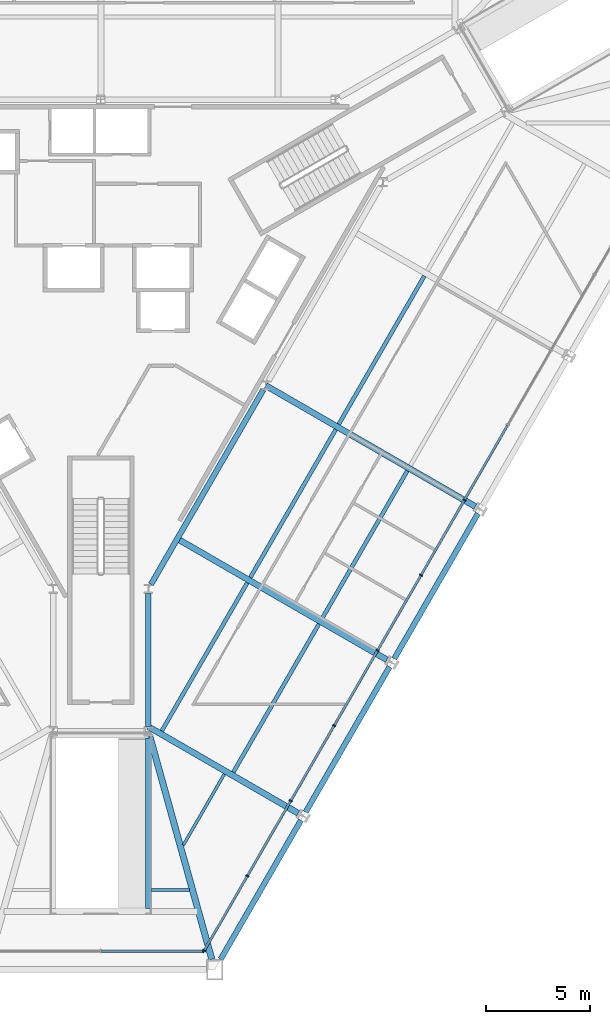
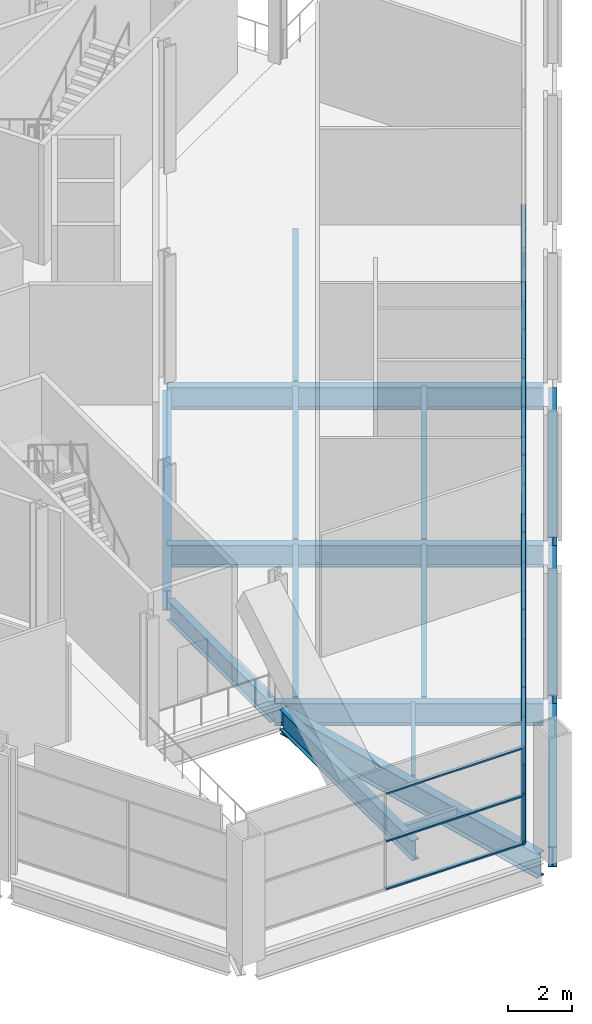
# One storey, part 4 of 18: 32 members, 17 beams, 2 elements without a shape of their own.
"""IFC4 building model written with IfcOpenShell, lengths in metres."""

from ifc_helpers import new_model, si_unit, direction, frame, origin, origin_2d, place, context, subcontext, project, spatial, rectangle, i_section, extrude, material, layer, layer_set, material_profile, profile_set, type_object, element, aggregate, save


model = new_model("IFC4")

# Units and contexts
model_context = context("Model", 3, precision=1e-05, world=origin(), true_north=direction((0.0, 1.0)))
body_context = subcontext(model_context, "Body", "Model", "MODEL_VIEW")
ifc_project = project(units=[si_unit("LENGTHUNIT", "METRE"), si_unit("AREAUNIT", "SQUARE_METRE"), si_unit("VOLUMEUNIT", "CUBIC_METRE"), si_unit("PLANEANGLEUNIT", "RADIAN"), si_unit("MASSUNIT", "GRAM", prefix="KILO")], contexts=[model_context])

# Site, building, storey
site_placement = place(None, origin())
site = spatial("IfcSite", under=ifc_project, at=site_placement, CompositionType="ELEMENT")
building_placement = place(site_placement, origin())
building = spatial("IfcBuilding", under=site, at=building_placement, Name="Verrane Prism Tower", CompositionType="ELEMENT")
storey_placement = place(building_placement, frame((0.0, 0.0, 27.199951171875)))
storey = spatial("IfcBuildingStorey", under=building, at=storey_placement, Name="L04", CompositionType="ELEMENT", Elevation=27.199951171875)

# Curtain wall, member
ifc_material_1 = material(Name="Aluminium and glass curtain wall", Category="aluminium")
ifc_layer = layer(ifc_material_1, 0.199951171875)
ifc_layer_set = layer_set([ifc_layer], Name="CWB-1 retail curtain wall")
curtain_wall_type = type_object("IfcCurtainWallType", Name="CWB-1 retail curtain wall", PredefinedType="NOTDEFINED", material=ifc_layer_set)
curtain_wall_1_placement = place(storey_placement, origin())
curtain_wall_1 = element("IfcCurtainWall", 1, at=curtain_wall_1_placement, inside=storey, type_object=curtain_wall_type, Name="Retail curtain wall L04 5", PredefinedType="NOTDEFINED")
ifc_material_2 = material(Name="Aluminium", Category="aluminium")
ifc_material_profile_1 = material_profile(ifc_material_2, rectangle(XDim=0.159912109375, YDim=0.06005859375, at=origin_2d()), Name="CWB-M 60x160 mullion")
ifc_profile_set_1 = profile_set([ifc_material_profile_1], Name="Aluminium")
member_type_1 = type_object("IfcMemberType", Name="CWB-M 60x160 mullion", PredefinedType="MULLION", material=ifc_profile_set_1)
member_1_placement = place(storey_placement, frame((4.950439453125, -31.913818359375, 0.0), z_axis=(0.0, 0.0, 1.0), x_axis=(0.0, 1.0, 0.0)))
member_1 = element("IfcMember", 2, at=member_1_placement, type_object=member_type_1, Name="CWB45 mullion 3", PredefinedType="MULLION", context=body_context, shape_type="SweptSolid", body=[
    extrude(rectangle(XDim=0.159912109375, YDim=0.06005859375, at=origin_2d()), origin(), (0.0, 0.0, 1.0), 3.68994140625),
])

# Curtain wall, members
curtain_wall_2_placement = place(storey_placement, origin())
curtain_wall_2 = element("IfcCurtainWall", 3, at=curtain_wall_2_placement, inside=storey, type_object=curtain_wall_type, Name="Retail curtain wall L04 6", PredefinedType="NOTDEFINED")
member_2_placement = place(storey_placement, frame((4.995361328125, -31.8876953125, 0.0), z_axis=(0.0, 0.0, 1.0), x_axis=(-0.866025335097, 0.50000011897, 0.0)))
member_2 = element("IfcMember", 4, at=member_2_placement, type_object=member_type_1, Name="CWB46 mullion 1", PredefinedType="MULLION", context=body_context, shape_type="SweptSolid", body=[
    extrude(rectangle(XDim=0.159912109375, YDim=0.06005859375, at=origin_2d()), origin(), (0.0, 0.0, 1.0), 3.68994140625),
])
member_3_placement = place(storey_placement, frame((7.075927734375, -28.283935546875, 0.0), z_axis=(0.0, 0.0, 1.0), x_axis=(-0.866025335097, 0.50000011897, 0.0)))
member_3 = element("IfcMember", 5, at=member_3_placement, type_object=member_type_1, Name="CWB46 mullion 2", PredefinedType="MULLION", context=body_context, shape_type="SweptSolid", body=[
    extrude(rectangle(XDim=0.159912109375, YDim=0.06005859375, at=origin_2d()), origin(), (0.0, 0.0, 1.0), 3.68994140625),
])
member_4_placement = place(storey_placement, frame((9.171630859375, -24.654052734375, 0.0), z_axis=(0.0, 0.0, 1.0), x_axis=(-0.866025335097, 0.50000011897, 0.0)))
member_4 = element("IfcMember", 6, at=member_4_placement, type_object=member_type_1, Name="CWB46 mullion 3", PredefinedType="MULLION", context=body_context, shape_type="SweptSolid", body=[
    extrude(rectangle(XDim=0.159912109375, YDim=0.06005859375, at=origin_2d()), origin(), (0.0, 0.0, 1.0), 3.68994140625),
])
member_5_placement = place(storey_placement, frame((11.267333984375, -21.0244140625, 0.0), z_axis=(0.0, 0.0, 1.0), x_axis=(-0.866025335097, 0.50000011897, 0.0)))
member_5 = element("IfcMember", 7, at=member_5_placement, type_object=member_type_1, Name="CWB46 mullion 4", PredefinedType="MULLION", context=body_context, shape_type="SweptSolid", body=[
    extrude(rectangle(XDim=0.159912109375, YDim=0.06005859375, at=origin_2d()), origin(), (0.0, 0.0, 1.0), 3.68994140625),
])
member_6_placement = place(storey_placement, frame((13.363037109375, -17.39453125, 0.0), z_axis=(0.0, 0.0, 1.0), x_axis=(-0.866025335097, 0.50000011897, 0.0)))
member_6 = element("IfcMember", 8, at=member_6_placement, type_object=member_type_1, Name="CWB46 mullion 5", PredefinedType="MULLION", context=body_context, shape_type="SweptSolid", body=[
    extrude(rectangle(XDim=0.159912109375, YDim=0.06005859375, at=origin_2d()), origin(), (0.0, 0.0, 1.0), 3.68994140625),
])
member_7_placement = place(storey_placement, frame((15.458740234375, -13.764892578125, 0.0), z_axis=(0.0, 0.0, 1.0), x_axis=(-0.866025335097, 0.50000011897, 0.0)))
member_7 = element("IfcMember", 9, at=member_7_placement, type_object=member_type_1, Name="CWB46 mullion 6", PredefinedType="MULLION", context=body_context, shape_type="SweptSolid", body=[
    extrude(rectangle(XDim=0.159912109375, YDim=0.06005859375, at=origin_2d()), origin(), (0.0, 0.0, 1.0), 3.68994140625),
])
member_8_placement = place(storey_placement, frame((17.554443359375, -10.135009765625, 0.0), z_axis=(0.0, 0.0, 1.0), x_axis=(-0.866025335097, 0.50000011897, 0.0)))
member_8 = element("IfcMember", 10, at=member_8_placement, type_object=member_type_1, Name="CWB46 mullion 7", PredefinedType="MULLION", context=body_context, shape_type="SweptSolid", body=[
    extrude(rectangle(XDim=0.159912109375, YDim=0.06005859375, at=origin_2d()), origin(), (0.0, 0.0, 1.0), 3.68994140625),
])

# Member
ifc_material_3 = material(Name="Aluminium", Category="aluminium")
ifc_material_profile_2 = material_profile(ifc_material_3, rectangle(XDim=0.1201171875, YDim=0.06005859375, at=origin_2d()), Name="CWB-T 60x120 transom")
ifc_profile_set_2 = profile_set([ifc_material_profile_2], Name="Aluminium")
member_type_2 = type_object("IfcMemberType", Name="CWB-T 60x120 transom", PredefinedType="USERDEFINED", material=ifc_profile_set_2)
member_9_placement = place(storey_placement, frame((0.030029296875, -31.913818359375, 0.030029296875), z_axis=(1.0, 0.0, 0.0), x_axis=(0.0, 1.0, 0.0)))
member_9 = element("IfcMember", 11, at=member_9_placement, type_object=member_type_2, Name="CWB45 transom 2.1", ObjectType="TRANSOM", PredefinedType="USERDEFINED", context=body_context, shape_type="SweptSolid", body=[
    extrude(rectangle(XDim=0.1201171875, YDim=0.06005859375, at=origin_2d()), origin(), (0.0, 0.0, 1.0), 4.890380859375),
])

member_10_placement = place(storey_placement, frame((0.030029296875, -31.913818359375, 1.844970703125), z_axis=(1.0, 0.0, 0.0), x_axis=(0.0, 1.0, 0.0)))
member_10 = element("IfcMember", 12, at=member_10_placement, type_object=member_type_2, Name="CWB45 transom 2.2", ObjectType="TRANSOM", PredefinedType="USERDEFINED", context=body_context, shape_type="SweptSolid", body=[
    extrude(rectangle(XDim=0.1201171875, YDim=0.06005859375, at=origin_2d()), origin(), (0.0, 0.0, 1.0), 4.890380859375),
])

member_11_placement = place(storey_placement, frame((0.030029296875, -31.913818359375, 3.66015625), z_axis=(1.0, 0.0, 0.0), x_axis=(0.0, 1.0, 0.0)))
member_11 = element("IfcMember", 13, at=member_11_placement, type_object=member_type_2, Name="CWB45 transom 2.3", ObjectType="TRANSOM", PredefinedType="USERDEFINED", context=body_context, shape_type="SweptSolid", body=[
    extrude(rectangle(XDim=0.1201171875, YDim=0.06005859375, at=origin_2d()), origin(), (0.0, 0.0, 1.0), 4.890380859375),
])

aggregate(curtain_wall_1, [member_1, member_9, member_10, member_11])

member_12_placement = place(storey_placement, frame((5.010498046875, -31.86181640625, 0.030029296875), z_axis=(0.499961200281, 0.866047803654, 0.0), x_axis=(-0.866047803654, 0.499961200281, 0.0)))
member_12 = element("IfcMember", 14, at=member_12_placement, type_object=member_type_2, Name="CWB46 transom 1.1", ObjectType="TRANSOM", PredefinedType="USERDEFINED", context=body_context, shape_type="SweptSolid", body=[
    extrude(rectangle(XDim=0.1201171875, YDim=0.06005859375, at=origin_2d()), origin(), (0.0, 0.0, 1.0), 4.101318359375),
])

member_13_placement = place(storey_placement, frame((5.010498046875, -31.86181640625, 1.844970703125), z_axis=(0.499961200281, 0.866047803654, 0.0), x_axis=(-0.866047803654, 0.499961200281, 0.0)))
member_13 = element("IfcMember", 15, at=member_13_placement, type_object=member_type_2, Name="CWB46 transom 1.2", ObjectType="TRANSOM", PredefinedType="USERDEFINED", context=body_context, shape_type="SweptSolid", body=[
    extrude(rectangle(XDim=0.1201171875, YDim=0.06005859375, at=origin_2d()), origin(), (0.0, 0.0, 1.0), 4.101318359375),
])

member_14_placement = place(storey_placement, frame((5.010498046875, -31.86181640625, 3.66015625), z_axis=(0.499961200281, 0.866047803654, 0.0), x_axis=(-0.866047803654, 0.499961200281, 0.0)))
member_14 = element("IfcMember", 16, at=member_14_placement, type_object=member_type_2, Name="CWB46 transom 1.3", ObjectType="TRANSOM", PredefinedType="USERDEFINED", context=body_context, shape_type="SweptSolid", body=[
    extrude(rectangle(XDim=0.1201171875, YDim=0.06005859375, at=origin_2d()), origin(), (0.0, 0.0, 1.0), 4.101318359375),
])

member_15_placement = place(storey_placement, frame((7.091064453125, -28.258056640625, 0.030029296875), z_axis=(0.499996977546, 0.866027148792, 0.0), x_axis=(-0.866027148792, 0.499996977546, 0.0)))
member_15 = element("IfcMember", 17, at=member_15_placement, type_object=member_type_2, Name="CWB46 transom 2.1", ObjectType="TRANSOM", PredefinedType="USERDEFINED", context=body_context, shape_type="SweptSolid", body=[
    extrude(rectangle(XDim=0.1201171875, YDim=0.06005859375, at=origin_2d()), origin(), (0.0, 0.0, 1.0), 4.13134765625),
])

member_16_placement = place(storey_placement, frame((7.091064453125, -28.258056640625, 1.844970703125), z_axis=(0.499996977546, 0.866027148792, 0.0), x_axis=(-0.866027148792, 0.499996977546, 0.0)))
member_16 = element("IfcMember", 18, at=member_16_placement, type_object=member_type_2, Name="CWB46 transom 2.2", ObjectType="TRANSOM", PredefinedType="USERDEFINED", context=body_context, shape_type="SweptSolid", body=[
    extrude(rectangle(XDim=0.1201171875, YDim=0.06005859375, at=origin_2d()), origin(), (0.0, 0.0, 1.0), 4.13134765625),
])

member_17_placement = place(storey_placement, frame((7.091064453125, -28.258056640625, 3.66015625), z_axis=(0.499996977546, 0.866027148792, 0.0), x_axis=(-0.866027148792, 0.499996977546, 0.0)))
member_17 = element("IfcMember", 19, at=member_17_placement, type_object=member_type_2, Name="CWB46 transom 2.3", ObjectType="TRANSOM", PredefinedType="USERDEFINED", context=body_context, shape_type="SweptSolid", body=[
    extrude(rectangle(XDim=0.1201171875, YDim=0.06005859375, at=origin_2d()), origin(), (0.0, 0.0, 1.0), 4.13134765625),
])

member_18_placement = place(storey_placement, frame((9.186767578125, -24.628173828125, 0.030029296875), z_axis=(0.499996977546, 0.866027148792, 0.0), x_axis=(-0.866027148792, 0.499996977546, 0.0)))
member_18 = element("IfcMember", 20, at=member_18_placement, type_object=member_type_2, Name="CWB46 transom 3.1", ObjectType="TRANSOM", PredefinedType="USERDEFINED", context=body_context, shape_type="SweptSolid", body=[
    extrude(rectangle(XDim=0.1201171875, YDim=0.06005859375, at=origin_2d()), origin(), (0.0, 0.0, 1.0), 4.13134765625),
])

member_19_placement = place(storey_placement, frame((9.186767578125, -24.628173828125, 1.844970703125), z_axis=(0.499996977546, 0.866027148792, 0.0), x_axis=(-0.866027148792, 0.499996977546, 0.0)))
member_19 = element("IfcMember", 21, at=member_19_placement, type_object=member_type_2, Name="CWB46 transom 3.2", ObjectType="TRANSOM", PredefinedType="USERDEFINED", context=body_context, shape_type="SweptSolid", body=[
    extrude(rectangle(XDim=0.1201171875, YDim=0.06005859375, at=origin_2d()), origin(), (0.0, 0.0, 1.0), 4.13134765625),
])

member_20_placement = place(storey_placement, frame((9.186767578125, -24.628173828125, 3.66015625), z_axis=(0.499996977546, 0.866027148792, 0.0), x_axis=(-0.866027148792, 0.499996977546, 0.0)))
member_20 = element("IfcMember", 22, at=member_20_placement, type_object=member_type_2, Name="CWB46 transom 3.3", ObjectType="TRANSOM", PredefinedType="USERDEFINED", context=body_context, shape_type="SweptSolid", body=[
    extrude(rectangle(XDim=0.1201171875, YDim=0.06005859375, at=origin_2d()), origin(), (0.0, 0.0, 1.0), 4.13134765625),
])

member_21_placement = place(storey_placement, frame((11.282470703125, -20.998291015625, 0.030029296875), z_axis=(0.499978243488, 0.866037964548, 0.0), x_axis=(-0.866037964548, 0.499978243488, 0.0)))
member_21 = element("IfcMember", 23, at=member_21_placement, type_object=member_type_2, Name="CWB46 transom 4.1", ObjectType="TRANSOM", PredefinedType="USERDEFINED", context=body_context, shape_type="SweptSolid", body=[
    extrude(rectangle(XDim=0.1201171875, YDim=0.06005859375, at=origin_2d()), origin(), (0.0, 0.0, 1.0), 4.131103515625),
])

member_22_placement = place(storey_placement, frame((11.282470703125, -20.998291015625, 1.844970703125), z_axis=(0.499978243488, 0.866037964548, 0.0), x_axis=(-0.866037964548, 0.499978243488, 0.0)))
member_22 = element("IfcMember", 24, at=member_22_placement, type_object=member_type_2, Name="CWB46 transom 4.2", ObjectType="TRANSOM", PredefinedType="USERDEFINED", context=body_context, shape_type="SweptSolid", body=[
    extrude(rectangle(XDim=0.1201171875, YDim=0.06005859375, at=origin_2d()), origin(), (0.0, 0.0, 1.0), 4.131103515625),
])

member_23_placement = place(storey_placement, frame((11.282470703125, -20.998291015625, 3.66015625), z_axis=(0.499978243488, 0.866037964548, 0.0), x_axis=(-0.866037964548, 0.499978243488, 0.0)))
member_23 = element("IfcMember", 25, at=member_23_placement, type_object=member_type_2, Name="CWB46 transom 4.3", ObjectType="TRANSOM", PredefinedType="USERDEFINED", context=body_context, shape_type="SweptSolid", body=[
    extrude(rectangle(XDim=0.1201171875, YDim=0.06005859375, at=origin_2d()), origin(), (0.0, 0.0, 1.0), 4.131103515625),
])

member_24_placement = place(storey_placement, frame((13.3779296875, -17.36865234375, 0.030029296875), z_axis=(0.499996977546, 0.866027148792, 0.0), x_axis=(-0.866027148792, 0.499996977546, 0.0)))
member_24 = element("IfcMember", 26, at=member_24_placement, type_object=member_type_2, Name="CWB46 transom 5.1", ObjectType="TRANSOM", PredefinedType="USERDEFINED", context=body_context, shape_type="SweptSolid", body=[
    extrude(rectangle(XDim=0.1201171875, YDim=0.06005859375, at=origin_2d()), origin(), (0.0, 0.0, 1.0), 4.13134765625),
])

member_25_placement = place(storey_placement, frame((13.3779296875, -17.36865234375, 1.844970703125), z_axis=(0.499996977546, 0.866027148792, 0.0), x_axis=(-0.866027148792, 0.499996977546, 0.0)))
member_25 = element("IfcMember", 27, at=member_25_placement, type_object=member_type_2, Name="CWB46 transom 5.2", ObjectType="TRANSOM", PredefinedType="USERDEFINED", context=body_context, shape_type="SweptSolid", body=[
    extrude(rectangle(XDim=0.1201171875, YDim=0.06005859375, at=origin_2d()), origin(), (0.0, 0.0, 1.0), 4.13134765625),
])

member_26_placement = place(storey_placement, frame((13.3779296875, -17.36865234375, 3.66015625), z_axis=(0.499996977546, 0.866027148792, 0.0), x_axis=(-0.866027148792, 0.499996977546, 0.0)))
member_26 = element("IfcMember", 28, at=member_26_placement, type_object=member_type_2, Name="CWB46 transom 5.3", ObjectType="TRANSOM", PredefinedType="USERDEFINED", context=body_context, shape_type="SweptSolid", body=[
    extrude(rectangle(XDim=0.1201171875, YDim=0.06005859375, at=origin_2d()), origin(), (0.0, 0.0, 1.0), 4.13134765625),
])

member_27_placement = place(storey_placement, frame((15.4736328125, -13.73876953125, 0.030029296875), z_axis=(0.499996977546, 0.866027148792, 0.0), x_axis=(-0.866027148792, 0.499996977546, 0.0)))
member_27 = element("IfcMember", 29, at=member_27_placement, type_object=member_type_2, Name="CWB46 transom 6.1", ObjectType="TRANSOM", PredefinedType="USERDEFINED", context=body_context, shape_type="SweptSolid", body=[
    extrude(rectangle(XDim=0.1201171875, YDim=0.06005859375, at=origin_2d()), origin(), (0.0, 0.0, 1.0), 4.13134765625),
])

member_28_placement = place(storey_placement, frame((15.4736328125, -13.73876953125, 1.844970703125), z_axis=(0.499996977546, 0.866027148792, 0.0), x_axis=(-0.866027148792, 0.499996977546, 0.0)))
member_28 = element("IfcMember", 30, at=member_28_placement, type_object=member_type_2, Name="CWB46 transom 6.2", ObjectType="TRANSOM", PredefinedType="USERDEFINED", context=body_context, shape_type="SweptSolid", body=[
    extrude(rectangle(XDim=0.1201171875, YDim=0.06005859375, at=origin_2d()), origin(), (0.0, 0.0, 1.0), 4.13134765625),
])

member_29_placement = place(storey_placement, frame((15.4736328125, -13.73876953125, 3.66015625), z_axis=(0.499996977546, 0.866027148792, 0.0), x_axis=(-0.866027148792, 0.499996977546, 0.0)))
member_29 = element("IfcMember", 31, at=member_29_placement, type_object=member_type_2, Name="CWB46 transom 6.3", ObjectType="TRANSOM", PredefinedType="USERDEFINED", context=body_context, shape_type="SweptSolid", body=[
    extrude(rectangle(XDim=0.1201171875, YDim=0.06005859375, at=origin_2d()), origin(), (0.0, 0.0, 1.0), 4.13134765625),
])

member_30_placement = place(storey_placement, frame((17.5693359375, -10.109130859375, 0.030029296875), z_axis=(0.499996977546, 0.866027148792, 0.0), x_axis=(-0.866027148792, 0.499996977546, 0.0)))
member_30 = element("IfcMember", 32, at=member_30_placement, type_object=member_type_2, Name="CWB46 transom 7.1", ObjectType="TRANSOM", PredefinedType="USERDEFINED", context=body_context, shape_type="SweptSolid", body=[
    extrude(rectangle(XDim=0.1201171875, YDim=0.06005859375, at=origin_2d()), origin(), (0.0, 0.0, 1.0), 4.13134765625),
])

member_31_placement = place(storey_placement, frame((17.5693359375, -10.109130859375, 1.844970703125), z_axis=(0.499996977546, 0.866027148792, 0.0), x_axis=(-0.866027148792, 0.499996977546, 0.0)))
member_31 = element("IfcMember", 33, at=member_31_placement, type_object=member_type_2, Name="CWB46 transom 7.2", ObjectType="TRANSOM", PredefinedType="USERDEFINED", context=body_context, shape_type="SweptSolid", body=[
    extrude(rectangle(XDim=0.1201171875, YDim=0.06005859375, at=origin_2d()), origin(), (0.0, 0.0, 1.0), 4.13134765625),
])

member_32_placement = place(storey_placement, frame((17.5693359375, -10.109130859375, 3.66015625), z_axis=(0.499996977546, 0.866027148792, 0.0), x_axis=(-0.866027148792, 0.499996977546, 0.0)))
member_32 = element("IfcMember", 34, at=member_32_placement, type_object=member_type_2, Name="CWB46 transom 7.3", ObjectType="TRANSOM", PredefinedType="USERDEFINED", context=body_context, shape_type="SweptSolid", body=[
    extrude(rectangle(XDim=0.1201171875, YDim=0.06005859375, at=origin_2d()), origin(), (0.0, 0.0, 1.0), 4.13134765625),
])

aggregate(curtain_wall_2, [member_2, member_3, member_4, member_5, member_6, member_7, member_8, member_12, member_13, member_14, member_15, member_16, member_17, member_18, member_19, member_20, member_21, member_22, member_23, member_24, member_25, member_26, member_27, member_28, member_29, member_30, member_31, member_32])

# Beams
ifc_material_4 = material(Name="Steel A992", Category="steel")
ifc_material_profile_3 = material_profile(ifc_material_4, i_section(OverallWidth=0.2666015625, OverallDepth=0.76708984375, WebThickness=0.014892578125, FlangeThickness=0.023681640625, FilletRadius=0.0166015625, at=origin_2d()), Name="W30x124")
ifc_profile_set_3 = profile_set([ifc_material_profile_3], Name="Steel A992")
beam_type_1 = type_object("IfcBeamType", Name="Core ring girder W30x124", PredefinedType="BEAM", material=ifc_profile_set_3)
beam_1_placement = place(storey_placement, frame((2.300048828125, -21.0625, -0.633544921875), z_axis=(0.0, 1.0, 0.0), x_axis=(-1.0, 0.0, 0.0)))
element("IfcBeam", 35, at=beam_1_placement, inside=storey, type_object=beam_type_1, Name="Core ring girder L04", PredefinedType="BEAM", context=body_context, shape_type="SweptSolid", body=[
    extrude(i_section(OverallWidth=0.2666015625, OverallDepth=0.76708984375, WebThickness=0.014892578125, FlangeThickness=0.023681640625, FilletRadius=0.0166015625, at=origin_2d()), origin(), (0.0, 0.0, 1.0), 6.42529296875),
])
beam_2_placement = place(storey_placement, frame((2.42529296875, -14.202880859375, -0.633544921875), z_axis=(0.500022744667, 0.866012271747, 0.0), x_axis=(-0.866012271747, 0.500022744667, 0.0)))
element("IfcBeam", 36, at=beam_2_placement, inside=storey, type_object=beam_type_1, Name="Core ring girder L04", PredefinedType="BEAM", context=body_context, shape_type="SweptSolid", body=[
    extrude(i_section(OverallWidth=0.2666015625, OverallDepth=0.76708984375, WebThickness=0.014892578125, FlangeThickness=0.023681640625, FilletRadius=0.0166015625, at=origin_2d()), origin(), (0.0, 0.0, 1.0), 10.837890625),
])
ifc_material_5 = material(Name="Steel A992", Category="steel")
ifc_material_profile_4 = material_profile(ifc_material_5, i_section(OverallWidth=0.307373046875, OverallDepth=0.927001953125, WebThickness=0.01953125, FlangeThickness=0.031982421875, FilletRadius=0.01904296875, at=origin_2d()), Name="W36x194")
ifc_profile_set_4 = profile_set([ifc_material_profile_4], Name="Steel A992")
beam_type_2 = type_object("IfcBeamType", Name="Corner girder W36x194", PredefinedType="BEAM", material=ifc_profile_set_4)
beam_3_placement = place(storey_placement, frame((5.361083984375, -32.31005859375, -0.68359375), z_axis=(-0.267873594468, 0.963454066049, 0.0), x_axis=(-0.963454066049, -0.267873594468, 0.0)))
element("IfcBeam", 37, at=beam_3_placement, inside=storey, type_object=beam_type_2, Name="Corner girder L04", PredefinedType="BEAM", context=body_context, shape_type="SweptSolid", body=[
    extrude(i_section(OverallWidth=0.307373046875, OverallDepth=0.927001953125, WebThickness=0.01953125, FlangeThickness=0.031982421875, FilletRadius=0.01904296875, at=origin_2d()), origin(), (0.0, 0.0, 1.0), 11.18115234375),
])
ifc_material_6 = material(Name="Steel A992", Category="steel")
ifc_material_profile_5 = material_profile(ifc_material_6, i_section(OverallWidth=0.140380859375, OverallDepth=0.40380859375, WebThickness=0.007080078125, FlangeThickness=0.01123046875, FilletRadius=0.01025390625, at=origin_2d()), Name="W16x31")
ifc_profile_set_5 = profile_set([ifc_material_profile_5], Name="Steel A992")
beam_type_3 = type_object("IfcBeamType", Name="Floor beam W16x31", PredefinedType="BEAM", material=ifc_profile_set_5)
beam_4_placement = place(storey_placement, frame((3.9873046875, -26.795654296875, -0.36181640625), z_axis=(0.499978641112, 0.866037734993, 0.0), x_axis=(-0.866037734993, 0.499978641112, 0.0)))
element("IfcBeam", 38, at=beam_4_placement, inside=storey, type_object=beam_type_3, Name="Floor beam L04", PredefinedType="BEAM", context=body_context, shape_type="SweptSolid", body=[
    extrude(i_section(OverallWidth=0.140380859375, OverallDepth=0.40380859375, WebThickness=0.007080078125, FlangeThickness=0.01123046875, FilletRadius=0.01025390625, at=origin_2d()), origin(), (0.0, 0.0, 1.0), 3.959716796875),
])
beam_5_placement = place(storey_placement, frame((2.43359375, -28.973388671875, -0.36181640625), z_axis=(1.0, 0.0, 0.0), x_axis=(0.0, 1.0, 0.0)))
element("IfcBeam", 39, at=beam_5_placement, inside=storey, type_object=beam_type_3, Name="Floor beam L04", PredefinedType="BEAM", context=body_context, shape_type="SweptSolid", body=[
    extrude(i_section(OverallWidth=0.140380859375, OverallDepth=0.40380859375, WebThickness=0.007080078125, FlangeThickness=0.01123046875, FilletRadius=0.01025390625, at=origin_2d()), origin(), (0.0, 0.0, 1.0), 1.84033203125),
])
ifc_material_7 = material(Name="Steel A992", Category="steel")
ifc_material_profile_6 = material_profile(ifc_material_7, i_section(OverallWidth=0.1904296875, OverallDepth=0.457275390625, WebThickness=0.009033203125, FlangeThickness=0.014404296875, FilletRadius=0.01025390625, at=origin_2d()), Name="W18x50")
ifc_profile_set_6 = profile_set([ifc_material_profile_6], Name="Steel A992")
beam_type_4 = type_object("IfcBeamType", Name="Floor beam W18x50", PredefinedType="BEAM", material=ifc_profile_set_6)
beam_6_placement = place(storey_placement, frame((6.39892578125, -23.27880859375, -0.388671875), z_axis=(0.499996977546, 0.866027148792, 0.0), x_axis=(-0.866027148792, 0.499996977546, 0.0)))
element("IfcBeam", 40, at=beam_6_placement, inside=storey, type_object=beam_type_4, Name="Floor beam L04", PredefinedType="BEAM", context=body_context, shape_type="SweptSolid", body=[
    extrude(i_section(OverallWidth=0.1904296875, OverallDepth=0.457275390625, WebThickness=0.009033203125, FlangeThickness=0.014404296875, FilletRadius=0.01025390625, at=origin_2d()), origin(), (0.0, 0.0, 1.0), 8.2626953125),
])
beam_7_placement = place(storey_placement, frame((2.943603515625, -21.283203125, -0.388671875), z_axis=(0.500014123243, 0.866017249573, 0.0), x_axis=(-0.866017249573, 0.500014123243, 0.0)))
element("IfcBeam", 41, at=beam_7_placement, inside=storey, type_object=beam_type_4, Name="Floor beam L04", PredefinedType="BEAM", context=body_context, shape_type="SweptSolid", body=[
    extrude(i_section(OverallWidth=0.1904296875, OverallDepth=0.457275390625, WebThickness=0.009033203125, FlangeThickness=0.014404296875, FilletRadius=0.01025390625, at=origin_2d()), origin(), (0.0, 0.0, 1.0), 8.260009765625),
])
beam_8_placement = place(storey_placement, frame((10.67626953125, -15.8701171875, -0.388671875), z_axis=(0.500010949126, 0.866019082211, 0.0), x_axis=(-0.866019082211, 0.500010949126, 0.0)))
element("IfcBeam", 42, at=beam_8_placement, inside=storey, type_object=beam_type_4, Name="Floor beam L04", PredefinedType="BEAM", context=body_context, shape_type="SweptSolid", body=[
    extrude(i_section(OverallWidth=0.1904296875, OverallDepth=0.457275390625, WebThickness=0.009033203125, FlangeThickness=0.014404296875, FilletRadius=0.01025390625, at=origin_2d()), origin(), (0.0, 0.0, 1.0), 8.253173828125),
])
beam_9_placement = place(storey_placement, frame((7.2197265625, -13.876953125, -0.388671875), z_axis=(0.499987846292, 0.866032420617, 0.0), x_axis=(-0.866032420617, 0.499987846292, 0.0)))
element("IfcBeam", 43, at=beam_9_placement, inside=storey, type_object=beam_type_4, Name="Floor beam L04", PredefinedType="BEAM", context=body_context, shape_type="SweptSolid", body=[
    extrude(i_section(OverallWidth=0.1904296875, OverallDepth=0.457275390625, WebThickness=0.009033203125, FlangeThickness=0.014404296875, FilletRadius=0.01025390625, at=origin_2d()), origin(), (0.0, 0.0, 1.0), 8.255126953125),
])
beam_10_placement = place(storey_placement, frame((11.48974609375, -6.47314453125, -0.388671875), z_axis=(0.500010437756, 0.866019377459, 0.0), x_axis=(-0.866019377459, 0.500010437756, 0.0)))
element("IfcBeam", 44, at=beam_10_placement, inside=storey, type_object=beam_type_4, Name="Floor beam L04", PredefinedType="BEAM", context=body_context, shape_type="SweptSolid", body=[
    extrude(i_section(OverallWidth=0.1904296875, OverallDepth=0.457275390625, WebThickness=0.009033203125, FlangeThickness=0.014404296875, FilletRadius=0.01025390625, at=origin_2d()), origin(), (0.0, 0.0, 1.0), 8.267822265625),
])
ifc_material_8 = material(Name="Steel A992", Category="steel")
ifc_material_profile_7 = material_profile(ifc_material_8, i_section(OverallWidth=0.2919921875, OverallDepth=0.845703125, WebThickness=0.015380859375, FlangeThickness=0.0244140625, FilletRadius=0.017822265625, at=origin_2d()), Name="W33x141")
ifc_profile_set_7 = profile_set([ifc_material_profile_7], Name="Steel A992")
beam_type_5 = type_object("IfcBeamType", Name="Radial girder W33x141", PredefinedType="BEAM", material=ifc_profile_set_7)
beam_11_placement = place(storey_placement, frame((9.53369140625, -25.2578125, -0.642822265625), z_axis=(-0.866016684991, 0.500015101088, 0.0), x_axis=(-0.500015101088, -0.866016684991, 0.0)))
element("IfcBeam", 45, at=beam_11_placement, inside=storey, type_object=beam_type_5, Name="Radial girder L04", PredefinedType="BEAM", context=body_context, shape_type="SweptSolid", body=[
    extrude(i_section(OverallWidth=0.2919921875, OverallDepth=0.845703125, WebThickness=0.015380859375, FlangeThickness=0.0244140625, FilletRadius=0.017822265625, at=origin_2d()), origin(), (0.0, 0.0, 1.0), 8.352783203125),
])
beam_12_placement = place(storey_placement, frame((13.813720703125, -17.847900390625, -0.642822265625), z_axis=(-0.866026929639, 0.499997357134, 0.0), x_axis=(-0.499997357134, -0.866026929639, 0.0)))
element("IfcBeam", 46, at=beam_12_placement, inside=storey, type_object=beam_type_5, Name="Radial girder L04", PredefinedType="BEAM", context=body_context, shape_type="SweptSolid", body=[
    extrude(i_section(OverallWidth=0.2919921875, OverallDepth=0.845703125, WebThickness=0.015380859375, FlangeThickness=0.0244140625, FilletRadius=0.017822265625, at=origin_2d()), origin(), (0.0, 0.0, 1.0), 11.68505859375),
])
beam_13_placement = place(storey_placement, frame((18.08349609375, -10.44775390625, -0.642822265625), z_axis=(-0.866019930389, 0.500009480079, 0.0), x_axis=(-0.500009480079, -0.866019930389, 0.0)))
element("IfcBeam", 47, at=beam_13_placement, inside=storey, type_object=beam_type_5, Name="Radial girder L04", PredefinedType="BEAM", context=body_context, shape_type="SweptSolid", body=[
    extrude(i_section(OverallWidth=0.2919921875, OverallDepth=0.845703125, WebThickness=0.015380859375, FlangeThickness=0.0244140625, FilletRadius=0.017822265625, at=origin_2d()), origin(), (0.0, 0.0, 1.0), 11.682373046875),
])
ifc_material_9 = material(Name="Steel A992", Category="steel")
ifc_material_profile_8 = material_profile(ifc_material_9, i_section(OverallWidth=0.2666015625, OverallDepth=0.76708984375, WebThickness=0.014892578125, FlangeThickness=0.023681640625, FilletRadius=0.0166015625, at=origin_2d()), Name="W30x124")
ifc_profile_set_8 = profile_set([ifc_material_profile_8], Name="Steel A992")
beam_type_6 = type_object("IfcBeamType", Name="Slab edge girder W30x124", PredefinedType="BEAM", material=ifc_profile_set_8)
beam_14_placement = place(storey_placement, frame((2.300048828125, -29.860107421875, -0.54345703125), z_axis=(0.0, 1.0, 0.0), x_axis=(-1.0, 0.0, 0.0)))
element("IfcBeam", 48, at=beam_14_placement, inside=storey, type_object=beam_type_6, Name="Slab edge girder L04", PredefinedType="BEAM", context=body_context, shape_type="SweptSolid", body=[
    extrude(i_section(OverallWidth=0.2666015625, OverallDepth=0.76708984375, WebThickness=0.014892578125, FlangeThickness=0.023681640625, FilletRadius=0.0166015625, at=origin_2d()), origin(), (0.0, 0.0, 1.0), 8.230224609375),
])
ifc_material_10 = material(Name="Steel A992", Category="steel")
ifc_material_profile_9 = material_profile(ifc_material_10, i_section(OverallWidth=0.2666015625, OverallDepth=0.76708984375, WebThickness=0.014892578125, FlangeThickness=0.023681640625, FilletRadius=0.0166015625, at=origin_2d()), Name="W30x124")
ifc_profile_set_9 = profile_set([ifc_material_profile_9], Name="Steel A992")
beam_type_7 = type_object("IfcBeamType", Name="Spandrel beam W30x124", PredefinedType="SPANDREL", material=ifc_profile_set_9)
beam_15_placement = place(storey_placement, frame((5.788818359375, -32.31005859375, -0.54345703125), z_axis=(0.500155868966, 0.865935394091, 0.0), x_axis=(-0.865935394091, 0.500155868966, 0.0)))
element("IfcBeam", 49, at=beam_15_placement, inside=storey, type_object=beam_type_7, Name="Spandrel beam L04", PredefinedType="SPANDREL", context=body_context, shape_type="SweptSolid", body=[
    extrude(i_section(OverallWidth=0.2666015625, OverallDepth=0.76708984375, WebThickness=0.014892578125, FlangeThickness=0.023681640625, FilletRadius=0.0166015625, at=origin_2d()), origin(), (0.0, 0.0, 1.0), 7.75244140625),
])
beam_16_placement = place(storey_placement, frame((9.893798828125, -25.203125, -0.54345703125), z_axis=(0.500160624136, 0.865932647533, 0.0), x_axis=(-0.865932647533, 0.500160624136, 0.0)))
element("IfcBeam", 50, at=beam_16_placement, inside=storey, type_object=beam_type_7, Name="Spandrel beam L04", PredefinedType="SPANDREL", context=body_context, shape_type="SweptSolid", body=[
    extrude(i_section(OverallWidth=0.2666015625, OverallDepth=0.76708984375, WebThickness=0.014892578125, FlangeThickness=0.023681640625, FilletRadius=0.0166015625, at=origin_2d()), origin(), (0.0, 0.0, 1.0), 8.102294921875),
])
beam_17_placement = place(storey_placement, frame((14.173583984375, -17.793212890625, -0.54345703125), z_axis=(0.499778193066, 0.86615342621, 0.0), x_axis=(-0.86615342621, 0.499778193066, 0.0)))
element("IfcBeam", 51, at=beam_17_placement, inside=storey, type_object=beam_type_7, Name="Spandrel beam L04", PredefinedType="SPANDREL", context=body_context, shape_type="SweptSolid", body=[
    extrude(i_section(OverallWidth=0.2666015625, OverallDepth=0.76708984375, WebThickness=0.014892578125, FlangeThickness=0.023681640625, FilletRadius=0.0166015625, at=origin_2d()), origin(), (0.0, 0.0, 1.0), 8.089111328125),
])

save(model, "model.ifc")
